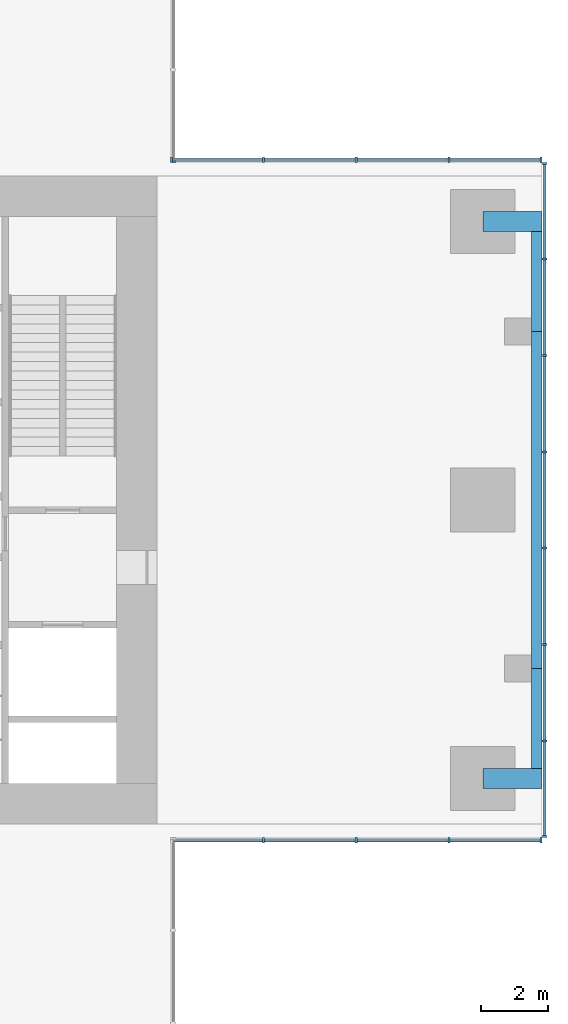
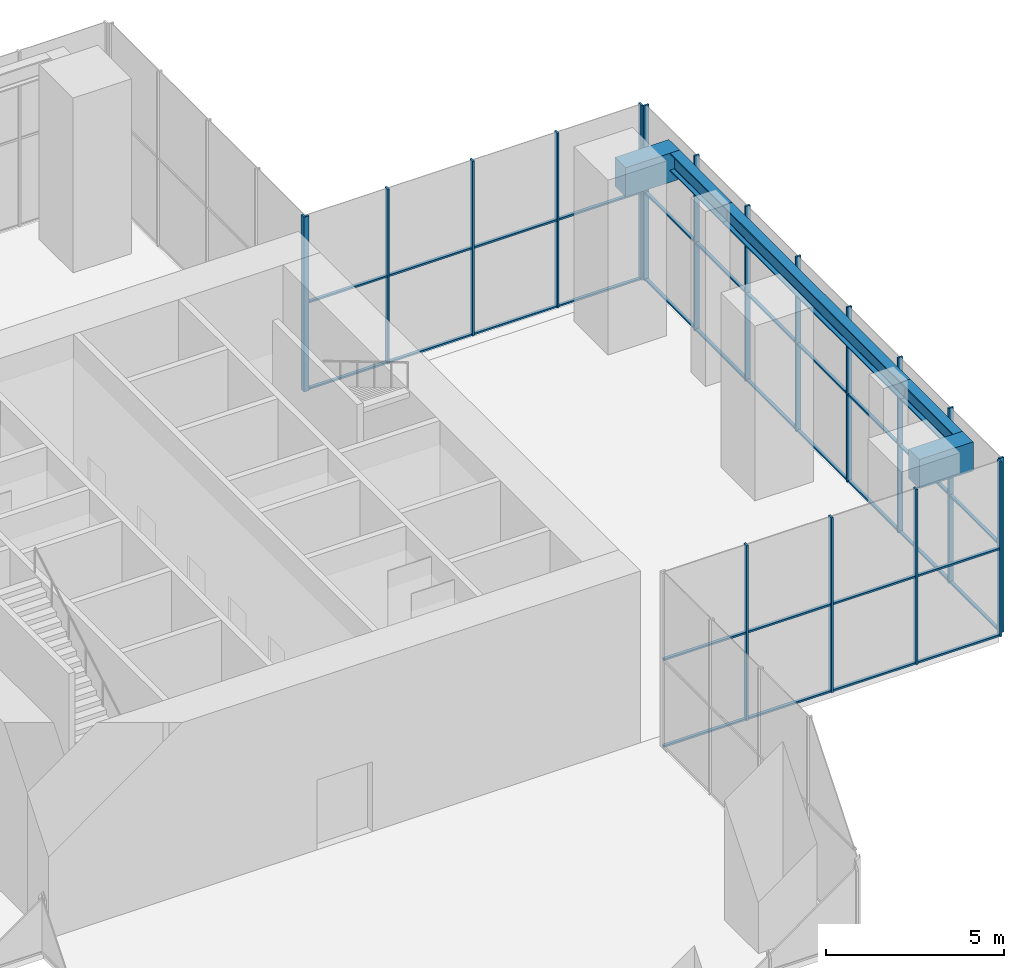
# One storey, part 5 of 11: 48 members, 5 beams, 4 elements without a shape of their own.
"""IFC4 building model written with IfcOpenShell, lengths in metres."""

from ifc_helpers import new_model, si_unit, direction, frame, origin, origin_2d, place, context, subcontext, project, spatial, rectangle, i_section, extrude, material, material_profile, profile_set, type_object, element, aggregate, save


model = new_model("IFC4")

# Units and contexts
model_context = context("Model", 3, precision=1e-05, world=origin(), true_north=direction((0.0, 1.0)))
body_context = subcontext(model_context, "Body", "Model", "MODEL_VIEW")
ifc_project = project(units=[si_unit("LENGTHUNIT", "METRE"), si_unit("AREAUNIT", "SQUARE_METRE"), si_unit("VOLUMEUNIT", "CUBIC_METRE"), si_unit("PLANEANGLEUNIT", "RADIAN"), si_unit("MASSUNIT", "GRAM", prefix="KILO")], contexts=[model_context])

# Site, building, storey
site_placement = place(None, origin())
site = spatial("IfcSite", under=ifc_project, at=site_placement, CompositionType="ELEMENT")
building_placement = place(site_placement, origin())
building = spatial("IfcBuilding", under=site, at=building_placement, Name="Svetlomir Tower", CompositionType="ELEMENT")
storey_placement = place(building_placement, frame((0.0, 0.0, 277.89990234375)))
storey = spatial("IfcBuildingStorey", under=building, at=storey_placement, Name="L66", CompositionType="ELEMENT", Elevation=277.89990234375)

# Curtain wall, members
ifc_material_1 = material(Name="Bronze anodised aluminium curtain wall", Category="aluminium")
curtain_wall_type = type_object("IfcCurtainWallType", Name="CURTAIN WALL CW6 LANTERN", PredefinedType="NOTDEFINED", material=ifc_material_1)
curtain_wall_1_placement = place(storey_placement, origin())
curtain_wall_1 = element("IfcCurtainWall", 1, at=curtain_wall_1_placement, inside=storey, type_object=curtain_wall_type, Name="Curtain wall CW6 L66", PredefinedType="NOTDEFINED")
ifc_material_2 = material(Name="Bronze anodised aluminium", Category="aluminium")
ifc_material_profile_1 = material_profile(ifc_material_2, rectangle(XDim=0.06005859375, YDim=0.159912109375, at=origin_2d()), Name="AL 60x160")
ifc_profile_set_1 = profile_set([ifc_material_profile_1], Name="Bronze anodised aluminium 6063-T6")
member_type_1 = type_object("IfcMemberType", Name="CW6 MULLION 60x160", PredefinedType="MULLION", material=ifc_profile_set_1)
member_1_placement = place(storey_placement, frame((33.75, 10.919921875, 0.0), z_axis=(0.0, 0.0, 1.0), x_axis=(1.0, 0.0, 0.0)))
member_1 = element("IfcMember", 2, at=member_1_placement, type_object=member_type_1, Name="CW6 mullion 2", PredefinedType="MULLION", context=body_context, shape_type="SweptSolid", body=[
    extrude(rectangle(XDim=0.06005859375, YDim=0.159912109375, at=origin_2d()), origin(), (0.0, 0.0, 1.0), 6.0),
])
member_2_placement = place(storey_placement, frame((36.5, 10.919921875, 0.0), z_axis=(0.0, 0.0, 1.0), x_axis=(1.0, 0.0, 0.0)))
member_2 = element("IfcMember", 3, at=member_2_placement, type_object=member_type_1, Name="CW6 mullion 3", PredefinedType="MULLION", context=body_context, shape_type="SweptSolid", body=[
    extrude(rectangle(XDim=0.06005859375, YDim=0.159912109375, at=origin_2d()), origin(), (0.0, 0.0, 1.0), 6.0),
])
member_3_placement = place(storey_placement, frame((39.25, 10.919921875, 0.0), z_axis=(0.0, 0.0, 1.0), x_axis=(1.0, 0.0, 0.0)))
member_3 = element("IfcMember", 4, at=member_3_placement, type_object=member_type_1, Name="CW6 mullion 4", PredefinedType="MULLION", context=body_context, shape_type="SweptSolid", body=[
    extrude(rectangle(XDim=0.06005859375, YDim=0.159912109375, at=origin_2d()), origin(), (0.0, 0.0, 1.0), 6.0),
])
member_4_placement = place(storey_placement, frame((41.969970703125, 10.919921875, 0.0), z_axis=(0.0, 0.0, 1.0), x_axis=(1.0, 0.0, 0.0)))
member_4 = element("IfcMember", 5, at=member_4_placement, type_object=member_type_1, Name="CW6 mullion 5", PredefinedType="MULLION", context=body_context, shape_type="SweptSolid", body=[
    extrude(rectangle(XDim=0.06005859375, YDim=0.159912109375, at=origin_2d()), origin(), (0.0, 0.0, 1.0), 6.0),
])

curtain_wall_2_placement = place(storey_placement, origin())
curtain_wall_2 = element("IfcCurtainWall", 6, at=curtain_wall_2_placement, inside=storey, type_object=curtain_wall_type, Name="Curtain wall CW6 L66", PredefinedType="NOTDEFINED")
member_5_placement = place(storey_placement, frame((42.080078125, 11.030029296875, 0.0), z_axis=(0.0, 0.0, 1.0), x_axis=(0.0, 1.0, 0.0)))
member_5 = element("IfcMember", 7, at=member_5_placement, type_object=member_type_1, Name="CW6 mullion 1", PredefinedType="MULLION", context=body_context, shape_type="SweptSolid", body=[
    extrude(rectangle(XDim=0.06005859375, YDim=0.159912109375, at=origin_2d()), origin(), (0.0, 0.0, 1.0), 6.0),
])
member_6_placement = place(storey_placement, frame((42.080078125, 13.857177734375, 0.0), z_axis=(0.0, 0.0, 1.0), x_axis=(0.0, 1.0, 0.0)))
member_6 = element("IfcMember", 8, at=member_6_placement, type_object=member_type_1, Name="CW6 mullion 2", PredefinedType="MULLION", context=body_context, shape_type="SweptSolid", body=[
    extrude(rectangle(XDim=0.06005859375, YDim=0.159912109375, at=origin_2d()), origin(), (0.0, 0.0, 1.0), 6.0),
])
member_7_placement = place(storey_placement, frame((42.080078125, 16.71435546875, 0.0), z_axis=(0.0, 0.0, 1.0), x_axis=(0.0, 1.0, 0.0)))
member_7 = element("IfcMember", 9, at=member_7_placement, type_object=member_type_1, Name="CW6 mullion 3", PredefinedType="MULLION", context=body_context, shape_type="SweptSolid", body=[
    extrude(rectangle(XDim=0.06005859375, YDim=0.159912109375, at=origin_2d()), origin(), (0.0, 0.0, 1.0), 6.0),
])
member_8_placement = place(storey_placement, frame((42.080078125, 19.571533203125, 0.0), z_axis=(0.0, 0.0, 1.0), x_axis=(0.0, 1.0, 0.0)))
member_8 = element("IfcMember", 10, at=member_8_placement, type_object=member_type_1, Name="CW6 mullion 4", PredefinedType="MULLION", context=body_context, shape_type="SweptSolid", body=[
    extrude(rectangle(XDim=0.06005859375, YDim=0.159912109375, at=origin_2d()), origin(), (0.0, 0.0, 1.0), 6.0),
])
member_9_placement = place(storey_placement, frame((42.080078125, 22.428466796875, 0.0), z_axis=(0.0, 0.0, 1.0), x_axis=(0.0, 1.0, 0.0)))
member_9 = element("IfcMember", 11, at=member_9_placement, type_object=member_type_1, Name="CW6 mullion 5", PredefinedType="MULLION", context=body_context, shape_type="SweptSolid", body=[
    extrude(rectangle(XDim=0.06005859375, YDim=0.159912109375, at=origin_2d()), origin(), (0.0, 0.0, 1.0), 6.0),
])
member_10_placement = place(storey_placement, frame((42.080078125, 25.28564453125, 0.0), z_axis=(0.0, 0.0, 1.0), x_axis=(0.0, 1.0, 0.0)))
member_10 = element("IfcMember", 12, at=member_10_placement, type_object=member_type_1, Name="CW6 mullion 6", PredefinedType="MULLION", context=body_context, shape_type="SweptSolid", body=[
    extrude(rectangle(XDim=0.06005859375, YDim=0.159912109375, at=origin_2d()), origin(), (0.0, 0.0, 1.0), 6.0),
])
member_11_placement = place(storey_placement, frame((42.080078125, 28.142822265625, 0.0), z_axis=(0.0, 0.0, 1.0), x_axis=(0.0, 1.0, 0.0)))
member_11 = element("IfcMember", 13, at=member_11_placement, type_object=member_type_1, Name="CW6 mullion 7", PredefinedType="MULLION", context=body_context, shape_type="SweptSolid", body=[
    extrude(rectangle(XDim=0.06005859375, YDim=0.159912109375, at=origin_2d()), origin(), (0.0, 0.0, 1.0), 6.0),
])
member_12_placement = place(storey_placement, frame((42.080078125, 30.969970703125, 0.0), z_axis=(0.0, 0.0, 1.0), x_axis=(0.0, 1.0, 0.0)))
member_12 = element("IfcMember", 14, at=member_12_placement, type_object=member_type_1, Name="CW6 mullion 8", PredefinedType="MULLION", context=body_context, shape_type="SweptSolid", body=[
    extrude(rectangle(XDim=0.06005859375, YDim=0.159912109375, at=origin_2d()), origin(), (0.0, 0.0, 1.0), 6.0),
])

curtain_wall_3_placement = place(storey_placement, origin())
curtain_wall_3 = element("IfcCurtainWall", 15, at=curtain_wall_3_placement, inside=storey, type_object=curtain_wall_type, Name="Curtain wall CW6 L66", PredefinedType="NOTDEFINED")
member_13_placement = place(storey_placement, frame((41.969970703125, 31.080078125, 0.0), z_axis=(0.0, 0.0, 1.0), x_axis=(-1.0, 0.0, 0.0)))
member_13 = element("IfcMember", 16, at=member_13_placement, type_object=member_type_1, Name="CW6 mullion 1", PredefinedType="MULLION", context=body_context, shape_type="SweptSolid", body=[
    extrude(rectangle(XDim=0.06005859375, YDim=0.159912109375, at=origin_2d()), origin(), (0.0, 0.0, 1.0), 6.0),
])
member_14_placement = place(storey_placement, frame((39.25, 31.080078125, 0.0), z_axis=(0.0, 0.0, 1.0), x_axis=(-1.0, 0.0, 0.0)))
member_14 = element("IfcMember", 17, at=member_14_placement, type_object=member_type_1, Name="CW6 mullion 2", PredefinedType="MULLION", context=body_context, shape_type="SweptSolid", body=[
    extrude(rectangle(XDim=0.06005859375, YDim=0.159912109375, at=origin_2d()), origin(), (0.0, 0.0, 1.0), 6.0),
])
member_15_placement = place(storey_placement, frame((36.5, 31.080078125, 0.0), z_axis=(0.0, 0.0, 1.0), x_axis=(-1.0, 0.0, 0.0)))
member_15 = element("IfcMember", 18, at=member_15_placement, type_object=member_type_1, Name="CW6 mullion 3", PredefinedType="MULLION", context=body_context, shape_type="SweptSolid", body=[
    extrude(rectangle(XDim=0.06005859375, YDim=0.159912109375, at=origin_2d()), origin(), (0.0, 0.0, 1.0), 6.0),
])
member_16_placement = place(storey_placement, frame((33.75, 31.080078125, 0.0), z_axis=(0.0, 0.0, 1.0), x_axis=(-1.0, 0.0, 0.0)))
member_16 = element("IfcMember", 19, at=member_16_placement, type_object=member_type_1, Name="CW6 mullion 4", PredefinedType="MULLION", context=body_context, shape_type="SweptSolid", body=[
    extrude(rectangle(XDim=0.06005859375, YDim=0.159912109375, at=origin_2d()), origin(), (0.0, 0.0, 1.0), 6.0),
])
member_17_placement = place(storey_placement, frame((31.030029296875, 31.080078125, 0.0), z_axis=(0.0, 0.0, 1.0), x_axis=(-1.0, 0.0, 0.0)))
member_17 = element("IfcMember", 20, at=member_17_placement, type_object=member_type_1, Name="CW6 mullion 5", PredefinedType="MULLION", context=body_context, shape_type="SweptSolid", body=[
    extrude(rectangle(XDim=0.06005859375, YDim=0.159912109375, at=origin_2d()), origin(), (0.0, 0.0, 1.0), 6.0),
])

# Curtain wall, member
curtain_wall_4_placement = place(storey_placement, origin())
curtain_wall_4 = element("IfcCurtainWall", 21, at=curtain_wall_4_placement, inside=storey, type_object=curtain_wall_type, Name="Curtain wall CW6 L66", PredefinedType="NOTDEFINED")
member_18_placement = place(storey_placement, frame((31.080078125, 31.030029296875, 0.0), z_axis=(0.0, 0.0, 1.0), x_axis=(0.0, 1.0, 0.0)))
member_18 = element("IfcMember", 22, at=member_18_placement, type_object=member_type_1, Name="CW6 mullion 1", PredefinedType="MULLION", context=body_context, shape_type="SweptSolid", body=[
    extrude(rectangle(XDim=0.06005859375, YDim=0.159912109375, at=origin_2d()), origin(), (0.0, 0.0, 1.0), 6.0),
])
aggregate(curtain_wall_4, [member_18])

# Member
ifc_material_3 = material(Name="Bronze anodised aluminium", Category="aluminium")
ifc_material_profile_2 = material_profile(ifc_material_3, rectangle(XDim=0.10009765625, YDim=0.06005859375, at=origin_2d()), Name="AL 100x60")
ifc_profile_set_2 = profile_set([ifc_material_profile_2], Name="Bronze anodised aluminium 6063-T6")
member_type_2 = type_object("IfcMemberType", Name="CW6 TRANSOM 60x100", PredefinedType="USERDEFINED", material=ifc_profile_set_2)
member_19_placement = place(storey_placement, frame((31.06005859375, 10.919921875, 0.030029296875), z_axis=(1.0, 0.0, 0.0), x_axis=(0.0, 1.0, 0.0)))
member_19 = element("IfcMember", 23, at=member_19_placement, type_object=member_type_2, Name="CW6 transom 1.1", ObjectType="TRANSOM", PredefinedType="USERDEFINED", context=body_context, shape_type="SweptSolid", body=[
    extrude(rectangle(XDim=0.10009765625, YDim=0.06005859375, at=origin_2d()), origin(), (0.0, 0.0, 1.0), 2.659912109375),
])

member_20_placement = place(storey_placement, frame((31.06005859375, 10.919921875, 3.0), z_axis=(1.0, 0.0, 0.0), x_axis=(0.0, 1.0, 0.0)))
member_20 = element("IfcMember", 24, at=member_20_placement, type_object=member_type_2, Name="CW6 transom 1.2", ObjectType="TRANSOM", PredefinedType="USERDEFINED", context=body_context, shape_type="SweptSolid", body=[
    extrude(rectangle(XDim=0.10009765625, YDim=0.06005859375, at=origin_2d()), origin(), (0.0, 0.0, 1.0), 2.659912109375),
])

member_21_placement = place(storey_placement, frame((33.780029296875, 10.919921875, 0.030029296875), z_axis=(1.0, 0.0, 0.0), x_axis=(0.0, 1.0, 0.0)))
member_21 = element("IfcMember", 25, at=member_21_placement, type_object=member_type_2, Name="CW6 transom 2.1", ObjectType="TRANSOM", PredefinedType="USERDEFINED", context=body_context, shape_type="SweptSolid", body=[
    extrude(rectangle(XDim=0.10009765625, YDim=0.06005859375, at=origin_2d()), origin(), (0.0, 0.0, 1.0), 2.68994140625),
])

member_22_placement = place(storey_placement, frame((33.780029296875, 10.919921875, 3.0), z_axis=(1.0, 0.0, 0.0), x_axis=(0.0, 1.0, 0.0)))
member_22 = element("IfcMember", 26, at=member_22_placement, type_object=member_type_2, Name="CW6 transom 2.2", ObjectType="TRANSOM", PredefinedType="USERDEFINED", context=body_context, shape_type="SweptSolid", body=[
    extrude(rectangle(XDim=0.10009765625, YDim=0.06005859375, at=origin_2d()), origin(), (0.0, 0.0, 1.0), 2.68994140625),
])

member_23_placement = place(storey_placement, frame((36.530029296875, 10.919921875, 0.030029296875), z_axis=(1.0, 0.0, 0.0), x_axis=(0.0, 1.0, 0.0)))
member_23 = element("IfcMember", 27, at=member_23_placement, type_object=member_type_2, Name="CW6 transom 3.1", ObjectType="TRANSOM", PredefinedType="USERDEFINED", context=body_context, shape_type="SweptSolid", body=[
    extrude(rectangle(XDim=0.10009765625, YDim=0.06005859375, at=origin_2d()), origin(), (0.0, 0.0, 1.0), 2.68994140625),
])

member_24_placement = place(storey_placement, frame((36.530029296875, 10.919921875, 3.0), z_axis=(1.0, 0.0, 0.0), x_axis=(0.0, 1.0, 0.0)))
member_24 = element("IfcMember", 28, at=member_24_placement, type_object=member_type_2, Name="CW6 transom 3.2", ObjectType="TRANSOM", PredefinedType="USERDEFINED", context=body_context, shape_type="SweptSolid", body=[
    extrude(rectangle(XDim=0.10009765625, YDim=0.06005859375, at=origin_2d()), origin(), (0.0, 0.0, 1.0), 2.68994140625),
])

member_25_placement = place(storey_placement, frame((39.280029296875, 10.919921875, 0.030029296875), z_axis=(1.0, 0.0, 0.0), x_axis=(0.0, 1.0, 0.0)))
member_25 = element("IfcMember", 29, at=member_25_placement, type_object=member_type_2, Name="CW6 transom 4.1", ObjectType="TRANSOM", PredefinedType="USERDEFINED", context=body_context, shape_type="SweptSolid", body=[
    extrude(rectangle(XDim=0.10009765625, YDim=0.06005859375, at=origin_2d()), origin(), (0.0, 0.0, 1.0), 2.659912109375),
])

member_26_placement = place(storey_placement, frame((39.280029296875, 10.919921875, 3.0), z_axis=(1.0, 0.0, 0.0), x_axis=(0.0, 1.0, 0.0)))
member_26 = element("IfcMember", 30, at=member_26_placement, type_object=member_type_2, Name="CW6 transom 4.2", ObjectType="TRANSOM", PredefinedType="USERDEFINED", context=body_context, shape_type="SweptSolid", body=[
    extrude(rectangle(XDim=0.10009765625, YDim=0.06005859375, at=origin_2d()), origin(), (0.0, 0.0, 1.0), 2.659912109375),
])

aggregate(curtain_wall_1, [member_1, member_2, member_3, member_4, member_19, member_20, member_21, member_22, member_23, member_24, member_25, member_26])

member_27_placement = place(storey_placement, frame((42.080078125, 11.06005859375, 0.030029296875), z_axis=(0.0, 1.0, 0.0), x_axis=(-1.0, 0.0, 0.0)))
member_27 = element("IfcMember", 31, at=member_27_placement, type_object=member_type_2, Name="CW6 transom 1.1", ObjectType="TRANSOM", PredefinedType="USERDEFINED", context=body_context, shape_type="SweptSolid", body=[
    extrude(rectangle(XDim=0.10009765625, YDim=0.06005859375, at=origin_2d()), origin(), (0.0, 0.0, 1.0), 2.76708984375),
])

member_28_placement = place(storey_placement, frame((42.080078125, 11.06005859375, 3.0), z_axis=(0.0, 1.0, 0.0), x_axis=(-1.0, 0.0, 0.0)))
member_28 = element("IfcMember", 32, at=member_28_placement, type_object=member_type_2, Name="CW6 transom 1.2", ObjectType="TRANSOM", PredefinedType="USERDEFINED", context=body_context, shape_type="SweptSolid", body=[
    extrude(rectangle(XDim=0.10009765625, YDim=0.06005859375, at=origin_2d()), origin(), (0.0, 0.0, 1.0), 2.76708984375),
])

member_29_placement = place(storey_placement, frame((42.080078125, 13.88720703125, 0.030029296875), z_axis=(0.0, 1.0, 0.0), x_axis=(-1.0, 0.0, 0.0)))
member_29 = element("IfcMember", 33, at=member_29_placement, type_object=member_type_2, Name="CW6 transom 2.1", ObjectType="TRANSOM", PredefinedType="USERDEFINED", context=body_context, shape_type="SweptSolid", body=[
    extrude(rectangle(XDim=0.10009765625, YDim=0.06005859375, at=origin_2d()), origin(), (0.0, 0.0, 1.0), 2.797119140625),
])

member_30_placement = place(storey_placement, frame((42.080078125, 13.88720703125, 3.0), z_axis=(0.0, 1.0, 0.0), x_axis=(-1.0, 0.0, 0.0)))
member_30 = element("IfcMember", 34, at=member_30_placement, type_object=member_type_2, Name="CW6 transom 2.2", ObjectType="TRANSOM", PredefinedType="USERDEFINED", context=body_context, shape_type="SweptSolid", body=[
    extrude(rectangle(XDim=0.10009765625, YDim=0.06005859375, at=origin_2d()), origin(), (0.0, 0.0, 1.0), 2.797119140625),
])

member_31_placement = place(storey_placement, frame((42.080078125, 16.744384765625, 0.030029296875), z_axis=(0.0, 1.0, 0.0), x_axis=(-1.0, 0.0, 0.0)))
member_31 = element("IfcMember", 35, at=member_31_placement, type_object=member_type_2, Name="CW6 transom 3.1", ObjectType="TRANSOM", PredefinedType="USERDEFINED", context=body_context, shape_type="SweptSolid", body=[
    extrude(rectangle(XDim=0.10009765625, YDim=0.06005859375, at=origin_2d()), origin(), (0.0, 0.0, 1.0), 2.797119140625),
])

member_32_placement = place(storey_placement, frame((42.080078125, 16.744384765625, 3.0), z_axis=(0.0, 1.0, 0.0), x_axis=(-1.0, 0.0, 0.0)))
member_32 = element("IfcMember", 36, at=member_32_placement, type_object=member_type_2, Name="CW6 transom 3.2", ObjectType="TRANSOM", PredefinedType="USERDEFINED", context=body_context, shape_type="SweptSolid", body=[
    extrude(rectangle(XDim=0.10009765625, YDim=0.06005859375, at=origin_2d()), origin(), (0.0, 0.0, 1.0), 2.797119140625),
])

member_33_placement = place(storey_placement, frame((42.080078125, 19.601318359375, 0.030029296875), z_axis=(0.0, 1.0, 0.0), x_axis=(-1.0, 0.0, 0.0)))
member_33 = element("IfcMember", 37, at=member_33_placement, type_object=member_type_2, Name="CW6 transom 4.1", ObjectType="TRANSOM", PredefinedType="USERDEFINED", context=body_context, shape_type="SweptSolid", body=[
    extrude(rectangle(XDim=0.10009765625, YDim=0.06005859375, at=origin_2d()), origin(), (0.0, 0.0, 1.0), 2.79736328125),
])

member_34_placement = place(storey_placement, frame((42.080078125, 19.601318359375, 3.0), z_axis=(0.0, 1.0, 0.0), x_axis=(-1.0, 0.0, 0.0)))
member_34 = element("IfcMember", 38, at=member_34_placement, type_object=member_type_2, Name="CW6 transom 4.2", ObjectType="TRANSOM", PredefinedType="USERDEFINED", context=body_context, shape_type="SweptSolid", body=[
    extrude(rectangle(XDim=0.10009765625, YDim=0.06005859375, at=origin_2d()), origin(), (0.0, 0.0, 1.0), 2.79736328125),
])

member_35_placement = place(storey_placement, frame((42.080078125, 22.45849609375, 0.030029296875), z_axis=(0.0, 1.0, 0.0), x_axis=(-1.0, 0.0, 0.0)))
member_35 = element("IfcMember", 39, at=member_35_placement, type_object=member_type_2, Name="CW6 transom 5.1", ObjectType="TRANSOM", PredefinedType="USERDEFINED", context=body_context, shape_type="SweptSolid", body=[
    extrude(rectangle(XDim=0.10009765625, YDim=0.06005859375, at=origin_2d()), origin(), (0.0, 0.0, 1.0), 2.797119140625),
])

member_36_placement = place(storey_placement, frame((42.080078125, 22.45849609375, 3.0), z_axis=(0.0, 1.0, 0.0), x_axis=(-1.0, 0.0, 0.0)))
member_36 = element("IfcMember", 40, at=member_36_placement, type_object=member_type_2, Name="CW6 transom 5.2", ObjectType="TRANSOM", PredefinedType="USERDEFINED", context=body_context, shape_type="SweptSolid", body=[
    extrude(rectangle(XDim=0.10009765625, YDim=0.06005859375, at=origin_2d()), origin(), (0.0, 0.0, 1.0), 2.797119140625),
])

member_37_placement = place(storey_placement, frame((42.080078125, 25.315673828125, 0.030029296875), z_axis=(0.0, 1.0, 0.0), x_axis=(-1.0, 0.0, 0.0)))
member_37 = element("IfcMember", 41, at=member_37_placement, type_object=member_type_2, Name="CW6 transom 6.1", ObjectType="TRANSOM", PredefinedType="USERDEFINED", context=body_context, shape_type="SweptSolid", body=[
    extrude(rectangle(XDim=0.10009765625, YDim=0.06005859375, at=origin_2d()), origin(), (0.0, 0.0, 1.0), 2.797119140625),
])

member_38_placement = place(storey_placement, frame((42.080078125, 25.315673828125, 3.0), z_axis=(0.0, 1.0, 0.0), x_axis=(-1.0, 0.0, 0.0)))
member_38 = element("IfcMember", 42, at=member_38_placement, type_object=member_type_2, Name="CW6 transom 6.2", ObjectType="TRANSOM", PredefinedType="USERDEFINED", context=body_context, shape_type="SweptSolid", body=[
    extrude(rectangle(XDim=0.10009765625, YDim=0.06005859375, at=origin_2d()), origin(), (0.0, 0.0, 1.0), 2.797119140625),
])

member_39_placement = place(storey_placement, frame((42.080078125, 28.1728515625, 0.030029296875), z_axis=(0.0, 1.0, 0.0), x_axis=(-1.0, 0.0, 0.0)))
member_39 = element("IfcMember", 43, at=member_39_placement, type_object=member_type_2, Name="CW6 transom 7.1", ObjectType="TRANSOM", PredefinedType="USERDEFINED", context=body_context, shape_type="SweptSolid", body=[
    extrude(rectangle(XDim=0.10009765625, YDim=0.06005859375, at=origin_2d()), origin(), (0.0, 0.0, 1.0), 2.76708984375),
])

member_40_placement = place(storey_placement, frame((42.080078125, 28.1728515625, 3.0), z_axis=(0.0, 1.0, 0.0), x_axis=(-1.0, 0.0, 0.0)))
member_40 = element("IfcMember", 44, at=member_40_placement, type_object=member_type_2, Name="CW6 transom 7.2", ObjectType="TRANSOM", PredefinedType="USERDEFINED", context=body_context, shape_type="SweptSolid", body=[
    extrude(rectangle(XDim=0.10009765625, YDim=0.06005859375, at=origin_2d()), origin(), (0.0, 0.0, 1.0), 2.76708984375),
])

aggregate(curtain_wall_2, [member_5, member_6, member_7, member_8, member_9, member_10, member_11, member_12, member_27, member_28, member_29, member_30, member_31, member_32, member_33, member_34, member_35, member_36, member_37, member_38, member_39, member_40])

member_41_placement = place(storey_placement, frame((41.93994140625, 31.080078125, 0.030029296875), z_axis=(-1.0, 0.0, 0.0), x_axis=(0.0, -1.0, 0.0)))
member_41 = element("IfcMember", 45, at=member_41_placement, type_object=member_type_2, Name="CW6 transom 1.1", ObjectType="TRANSOM", PredefinedType="USERDEFINED", context=body_context, shape_type="SweptSolid", body=[
    extrude(rectangle(XDim=0.10009765625, YDim=0.06005859375, at=origin_2d()), origin(), (0.0, 0.0, 1.0), 2.659912109375),
])

member_42_placement = place(storey_placement, frame((41.93994140625, 31.080078125, 3.0), z_axis=(-1.0, 0.0, 0.0), x_axis=(0.0, -1.0, 0.0)))
member_42 = element("IfcMember", 46, at=member_42_placement, type_object=member_type_2, Name="CW6 transom 1.2", ObjectType="TRANSOM", PredefinedType="USERDEFINED", context=body_context, shape_type="SweptSolid", body=[
    extrude(rectangle(XDim=0.10009765625, YDim=0.06005859375, at=origin_2d()), origin(), (0.0, 0.0, 1.0), 2.659912109375),
])

member_43_placement = place(storey_placement, frame((39.219970703125, 31.080078125, 0.030029296875), z_axis=(-1.0, 0.0, 0.0), x_axis=(0.0, -1.0, 0.0)))
member_43 = element("IfcMember", 47, at=member_43_placement, type_object=member_type_2, Name="CW6 transom 2.1", ObjectType="TRANSOM", PredefinedType="USERDEFINED", context=body_context, shape_type="SweptSolid", body=[
    extrude(rectangle(XDim=0.10009765625, YDim=0.06005859375, at=origin_2d()), origin(), (0.0, 0.0, 1.0), 2.68994140625),
])

member_44_placement = place(storey_placement, frame((39.219970703125, 31.080078125, 3.0), z_axis=(-1.0, 0.0, 0.0), x_axis=(0.0, -1.0, 0.0)))
member_44 = element("IfcMember", 48, at=member_44_placement, type_object=member_type_2, Name="CW6 transom 2.2", ObjectType="TRANSOM", PredefinedType="USERDEFINED", context=body_context, shape_type="SweptSolid", body=[
    extrude(rectangle(XDim=0.10009765625, YDim=0.06005859375, at=origin_2d()), origin(), (0.0, 0.0, 1.0), 2.68994140625),
])

member_45_placement = place(storey_placement, frame((36.469970703125, 31.080078125, 0.030029296875), z_axis=(-1.0, 0.0, 0.0), x_axis=(0.0, -1.0, 0.0)))
member_45 = element("IfcMember", 49, at=member_45_placement, type_object=member_type_2, Name="CW6 transom 3.1", ObjectType="TRANSOM", PredefinedType="USERDEFINED", context=body_context, shape_type="SweptSolid", body=[
    extrude(rectangle(XDim=0.10009765625, YDim=0.06005859375, at=origin_2d()), origin(), (0.0, 0.0, 1.0), 2.68994140625),
])

member_46_placement = place(storey_placement, frame((36.469970703125, 31.080078125, 3.0), z_axis=(-1.0, 0.0, 0.0), x_axis=(0.0, -1.0, 0.0)))
member_46 = element("IfcMember", 50, at=member_46_placement, type_object=member_type_2, Name="CW6 transom 3.2", ObjectType="TRANSOM", PredefinedType="USERDEFINED", context=body_context, shape_type="SweptSolid", body=[
    extrude(rectangle(XDim=0.10009765625, YDim=0.06005859375, at=origin_2d()), origin(), (0.0, 0.0, 1.0), 2.68994140625),
])

member_47_placement = place(storey_placement, frame((33.719970703125, 31.080078125, 0.030029296875), z_axis=(-1.0, 0.0, 0.0), x_axis=(0.0, -1.0, 0.0)))
member_47 = element("IfcMember", 51, at=member_47_placement, type_object=member_type_2, Name="CW6 transom 4.1", ObjectType="TRANSOM", PredefinedType="USERDEFINED", context=body_context, shape_type="SweptSolid", body=[
    extrude(rectangle(XDim=0.10009765625, YDim=0.06005859375, at=origin_2d()), origin(), (0.0, 0.0, 1.0), 2.659912109375),
])

member_48_placement = place(storey_placement, frame((33.719970703125, 31.080078125, 3.0), z_axis=(-1.0, 0.0, 0.0), x_axis=(0.0, -1.0, 0.0)))
member_48 = element("IfcMember", 52, at=member_48_placement, type_object=member_type_2, Name="CW6 transom 4.2", ObjectType="TRANSOM", PredefinedType="USERDEFINED", context=body_context, shape_type="SweptSolid", body=[
    extrude(rectangle(XDim=0.10009765625, YDim=0.06005859375, at=origin_2d()), origin(), (0.0, 0.0, 1.0), 2.659912109375),
])

aggregate(curtain_wall_3, [member_13, member_14, member_15, member_16, member_17, member_41, member_42, member_43, member_44, member_45, member_46, member_47, member_48])

# Beams
ifc_material_4 = material(Name="Steel S355", Category="steel")
ifc_material_profile_3 = material_profile(ifc_material_4, i_section(OverallWidth=0.304931640625, OverallDepth=0.6201171875, WebThickness=0.02099609375, FlangeThickness=0.0400390625, FilletRadius=0.027099609375, at=origin_2d()), Name="HEM 600")
ifc_profile_set_3 = profile_set([ifc_material_profile_3], Name="Steel S355")
beam_type_1 = type_object("IfcBeamType", Name="EDGE BEAM HEM 600", PredefinedType="SPANDREL", material=ifc_profile_set_3)
beam_1_placement = place(storey_placement, frame((41.847412109375, 13.050048828125, 5.39013671875), z_axis=(0.0, 1.0, 0.0), x_axis=(-1.0, 0.0, 0.0)))
element("IfcBeam", 53, at=beam_1_placement, inside=storey, type_object=beam_type_1, Name="Edge beam 42/11 to 42/16 under L67", PredefinedType="SPANDREL", context=body_context, shape_type="SweptSolid", body=[
    extrude(i_section(OverallWidth=0.304931640625, OverallDepth=0.6201171875, WebThickness=0.02099609375, FlangeThickness=0.0400390625, FilletRadius=0.027099609375, at=origin_2d()), origin(), (0.0, 0.0, 1.0), 2.949951171875),
])
beam_2_placement = place(storey_placement, frame((41.847412109375, 16.0, 5.39013671875), z_axis=(0.0, 1.0, 0.0), x_axis=(-1.0, 0.0, 0.0)))
element("IfcBeam", 54, at=beam_2_placement, inside=storey, type_object=beam_type_1, Name="Edge beam 42/16 to 42/26 under L67", PredefinedType="SPANDREL", context=body_context, shape_type="SweptSolid", body=[
    extrude(i_section(OverallWidth=0.304931640625, OverallDepth=0.6201171875, WebThickness=0.02099609375, FlangeThickness=0.0400390625, FilletRadius=0.027099609375, at=origin_2d()), origin(), (0.0, 0.0, 1.0), 10.0),
])
beam_3_placement = place(storey_placement, frame((41.847412109375, 26.0, 5.39013671875), z_axis=(0.0, 1.0, 0.0), x_axis=(-1.0, 0.0, 0.0)))
element("IfcBeam", 55, at=beam_3_placement, inside=storey, type_object=beam_type_1, Name="Edge beam 42/26 to 42/31 under L67", PredefinedType="SPANDREL", context=body_context, shape_type="SweptSolid", body=[
    extrude(i_section(OverallWidth=0.304931640625, OverallDepth=0.6201171875, WebThickness=0.02099609375, FlangeThickness=0.0400390625, FilletRadius=0.027099609375, at=origin_2d()), origin(), (0.0, 0.0, 1.0), 2.949951171875),
])
ifc_material_5 = material(Name="Concrete C60/75", Category="concrete")
ifc_material_profile_4 = material_profile(ifc_material_5, rectangle(XDim=0.60009765625, YDim=1.0, at=origin_2d()), Name="RC 600x1000")
ifc_profile_set_4 = profile_set([ifc_material_profile_4], Name="Concrete C60/75")
beam_type_2 = type_object("IfcBeamType", Name="EDGE LINK BEAM RC 600x1000", PredefinedType="BEAM", material=ifc_profile_set_4)
for number, where, z_axis, x_axis, name in (
    (56, (40.25, 12.75, 5.2001953125), (1.0, 0.0, 0.0), (0.0, 1.0, 0.0), "Edge link beam E 42/11 under L67"),
    (57, (40.25, 29.25, 5.2001953125), (1.0, 0.0, 0.0), (0.0, 1.0, 0.0), "Edge link beam E 42/31 under L67"),
):
    element("IfcBeam", number, at=place(storey_placement, frame(where, z_axis=z_axis, x_axis=x_axis)), inside=storey, type_object=beam_type_2, Name=name, PredefinedType="BEAM", context=body_context, shape_type="SweptSolid", body=[
        extrude(rectangle(XDim=0.60009765625, YDim=1.0, at=origin_2d()), origin(), (0.0, 0.0, 1.0), 1.75),
    ])

save(model, "model.ifc")
